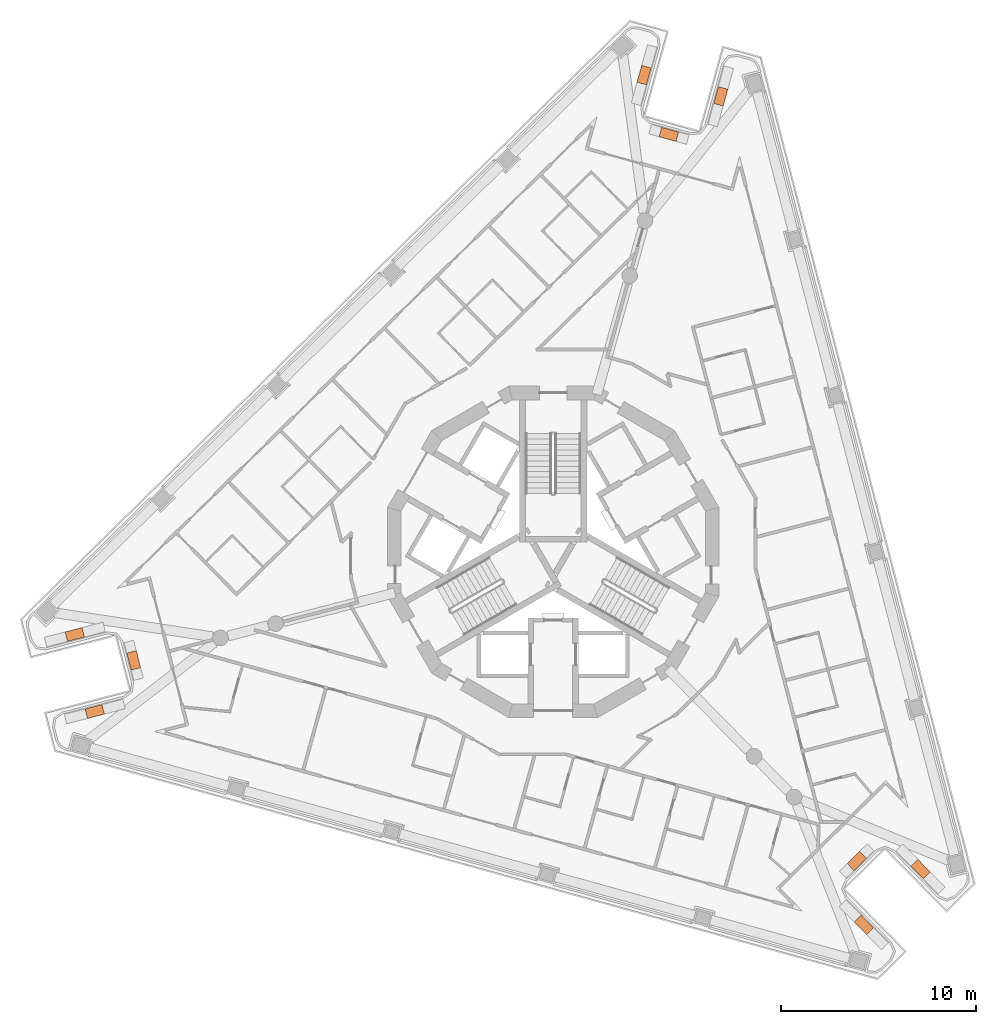
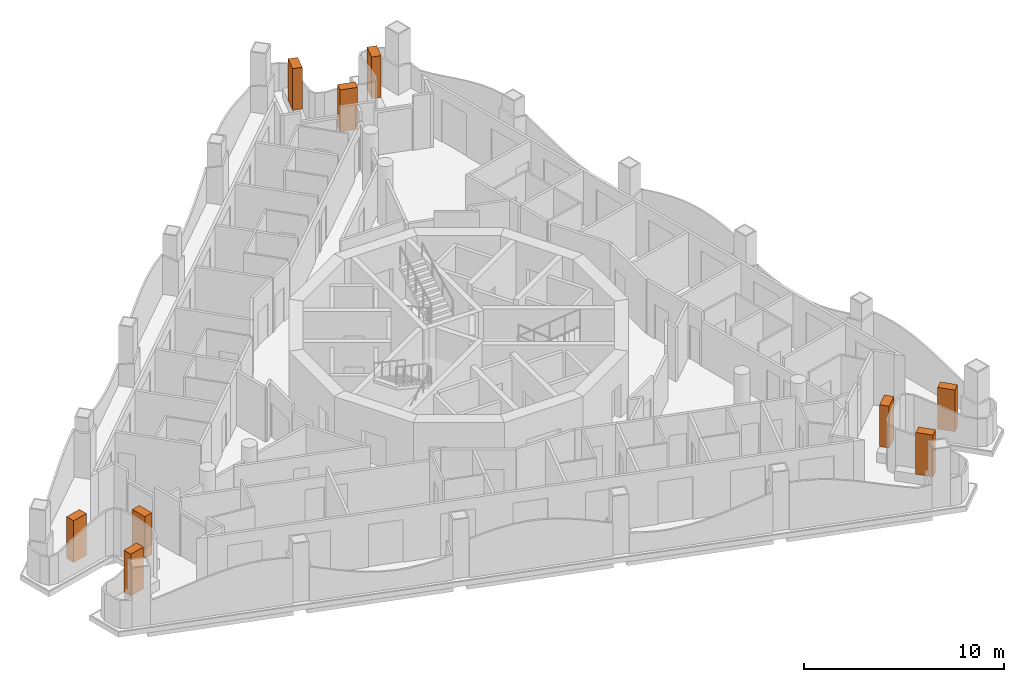
# One storey, part 14 of 14: 9 geographic elements.
"""IFC4 building model written with IfcOpenShell, lengths in metres."""

from ifc_helpers import new_model, si_unit, direction, frame, origin, origin_2d, place, context, subcontext, project, spatial, rectangle, extrude, element, save


model = new_model("IFC4")

# Units and contexts
model_context = context("Model", 3, precision=1e-05, world=origin(), true_north=direction((0.0, 1.0)))
body_context = subcontext(model_context, "Body", "Model", "MODEL_VIEW")
ifc_project = project(units=[si_unit("LENGTHUNIT", "METRE"), si_unit("AREAUNIT", "SQUARE_METRE"), si_unit("VOLUMEUNIT", "CUBIC_METRE"), si_unit("PLANEANGLEUNIT", "RADIAN"), si_unit("MASSUNIT", "GRAM", prefix="KILO")], contexts=[model_context])

# Site, building, storey
site_placement = place(None, origin())
site = spatial("IfcSite", under=ifc_project, at=site_placement, CompositionType="ELEMENT")
building_placement = place(site_placement, origin())
building = spatial("IfcBuilding", under=site, at=building_placement, Name="Trine Commons Tower", CompositionType="ELEMENT")
storey_placement = place(building_placement, frame((0.0, 0.0, 238.5)))
storey = spatial("IfcBuildingStorey", under=building, at=storey_placement, Name="L62", CompositionType="ELEMENT", Elevation=238.5)

# Geographic elements
for number, where, z_axis, x_axis, name in (
    (1, (56.49560546875, 54.314208984375, 0.60009765625), (0.0, 0.0, 1.0), (0.968152010186, 0.250363106652, 0.0), "Tree 1.1"),
    (2, (58.4921875, 56.937744140625, 0.60009765625), (0.0, 0.0, 1.0), (-0.250410419186, 0.968139773981, 0.0), "Tree 2.1"),
    (3, (55.473876953125, 58.264404296875, 0.60009765625), (0.0, 0.0, 1.0), (-0.968152010186, -0.250363106652, 0.0), "Tree 3.1"),
    (4, (84.6630859375, 86.948486328125, 0.60009765625), (0.0, 0.0, 1.0), (-0.26724005793, -0.963629986788, 0.0), "Tree 4.1"),
    (5, (85.936767578125, 83.907470703125, 0.60009765625), (0.0, 0.0, 1.0), (0.963633718069, -0.267226603091, 0.0), "Tree 5.1"),
    (6, (88.5947265625, 85.85791015625, 0.60009765625), (0.0, 0.0, 1.0), (0.26724005793, 0.963629986788, 0.0), "Tree 6.1"),
    (7, (98.84130859375, 46.2373046875, 0.60009765625), (0.0, 0.0, 1.0), (-0.700898060502, 0.713261458923, 0.0), "Tree 7.1"),
    (8, (95.57080078125, 46.65478515625, 0.60009765625), (0.0, 0.0, 1.0), (-0.713239439209, -0.700920467925, 0.0), "Tree 8.1"),
    (9, (95.931396484375, 43.377685546875, 0.60009765625), (0.0, 0.0, 1.0), (0.700898060502, -0.713261458923, 0.0), "Tree 9.1"),
):
    element("IfcGeographicElement", number, at=place(storey_placement, frame(where, z_axis=z_axis, x_axis=x_axis)), inside=storey, Name=name, ObjectType="TREE Tabebuia rosea", PredefinedType="USERDEFINED", context=body_context, shape_type="SweptSolid", body=[
        extrude(rectangle(XDim=0.89990234375, YDim=0.5, at=origin_2d()), origin(), (0.0, 0.0, 1.0), 2.550048828125),
    ])

save(model, "model.ifc")
